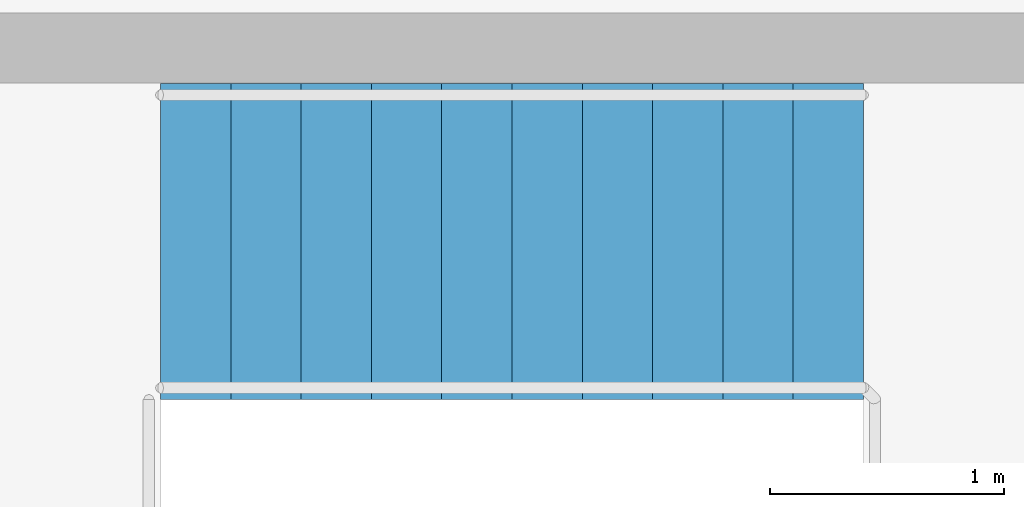
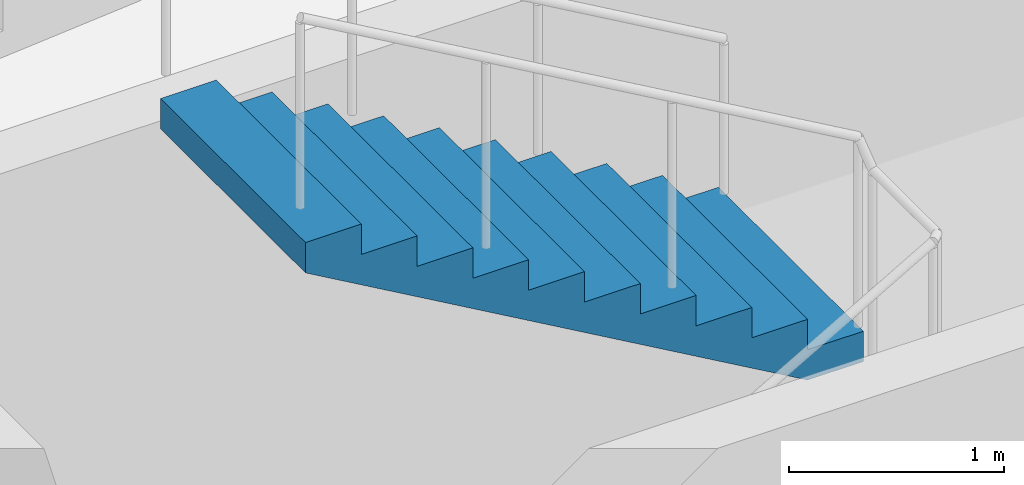
# One storey, part 7 of 8: 1 stair flight, 1 element without a shape of its own.
"""IFC4 building model written with IfcOpenShell, lengths in metres."""

from ifc_helpers import new_model, si_unit, direction, frame, origin, place, context, subcontext, project, spatial, polyline, outline, extrude, material, type_object, element, aggregate, save


model = new_model("IFC4")

# Units and contexts
model_context = context("Model", 3, precision=1e-05, world=origin(), true_north=direction((0.0, 1.0)))
body_context = subcontext(model_context, "Body", "Model", "MODEL_VIEW")
ifc_project = project(units=[si_unit("LENGTHUNIT", "METRE"), si_unit("AREAUNIT", "SQUARE_METRE"), si_unit("VOLUMEUNIT", "CUBIC_METRE"), si_unit("PLANEANGLEUNIT", "RADIAN"), si_unit("MASSUNIT", "GRAM", prefix="KILO")], contexts=[model_context])

# Site, building, storey
site_placement = place(None, origin())
site = spatial("IfcSite", under=ifc_project, at=site_placement, CompositionType="ELEMENT")
building_placement = place(site_placement, origin())
building = spatial("IfcBuilding", under=site, at=building_placement, Name="Brondeck Convention Tower", CompositionType="ELEMENT")
storey_placement = place(building_placement, frame((0.0, 0.0, 233.0)))
storey = spatial("IfcBuildingStorey", under=building, at=storey_placement, Name="L57", CompositionType="ELEMENT", Elevation=233.0)

# Stair, stair flight
ifc_material = material(Name="Precast concrete C50/60", Category="concrete")
stair_type = type_object("IfcStairType", Name="Core stair 22 risers 172.73 mm riser 300 mm going 1350 wide", PredefinedType="HALF_TURN_STAIR", material=ifc_material)
stair_placement = place(storey_placement, origin())
stair = element("IfcStair", 1, at=stair_placement, inside=storey, type_object=stair_type, Name="ST-AE L57 stair", PredefinedType="HALF_TURN_STAIR")
stair_flight_type = type_object("IfcStairFlightType", Name="Core stair flight 22 risers 172.73 mm riser 300 mm going 1350 wide", PredefinedType="STRAIGHT", material=ifc_material)
stair_flight_placement = place(storey_placement, frame((40.85009765625, 56.77490234375, 1.89990234375), z_axis=(0.0, 0.0, 1.0), x_axis=(-1.0, 0.0, 0.0)))
stair_flight = element("IfcStairFlight", 2, at=stair_flight_placement, type_object=stair_flight_type, Name="ST-AE flight 2", NumberOfRisers=11, NumberOfTreads=10, PredefinedType="STRAIGHT", RiserHeight=0.172727273, TreadLength=0.3, context=body_context, shape_type="SweptSolid", body=[
    extrude(outline(polyline([(0.0, 0.0), (0.0, 0.172607421875), (0.300048828125, 0.172607421875), (0.300048828125, 0.345458984375), (0.60009765625, 0.345458984375), (0.60009765625, 0.51806640625), (0.89990234375, 0.51806640625), (0.89990234375, 0.69091796875), (1.199951171875, 0.69091796875), (1.199951171875, 0.863525390625), (1.5, 0.863525390625), (1.5, 1.036376953125), (1.800048828125, 1.036376953125), (1.800048828125, 1.208984375), (2.10009765625, 1.208984375), (2.10009765625, 1.3818359375), (2.39990234375, 1.3818359375), (2.39990234375, 1.554443359375), (2.699951171875, 1.554443359375), (2.699951171875, 1.727294921875), (3.0, 1.727294921875), (3.0, 1.89990234375), (3.0, 1.55419921875), (0.300537109375, 0.0), (0.0, 0.0)])), frame((0.0, 0.675048828125, 0.0), z_axis=(0.0, -1.0, 0.0), x_axis=(1.0, 0.0, 0.0)), (0.0, 0.0, 1.0), 1.35009765625),
])
aggregate(stair, [stair_flight])

save(model, "model.ifc")
